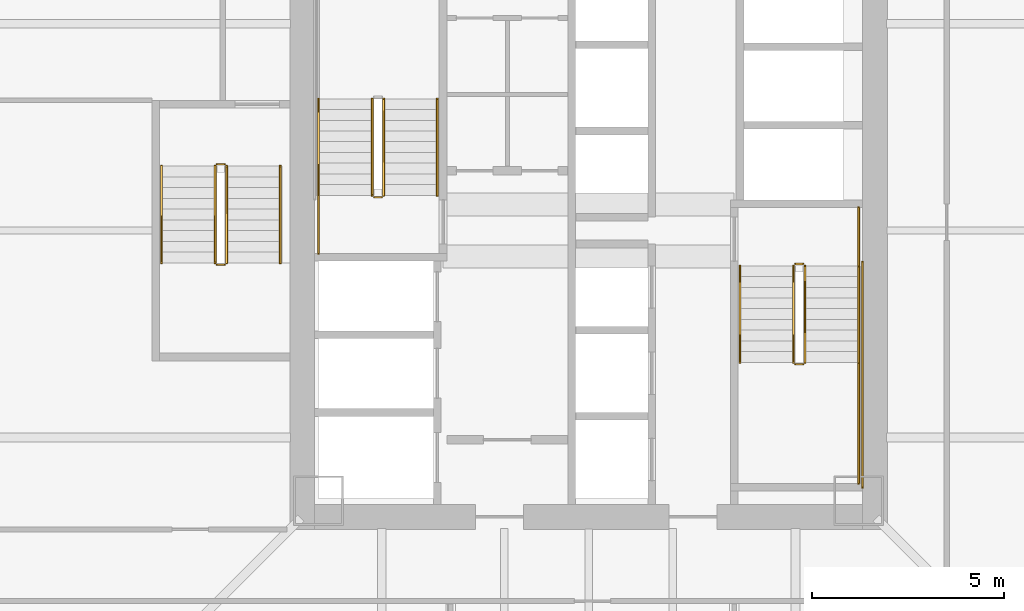
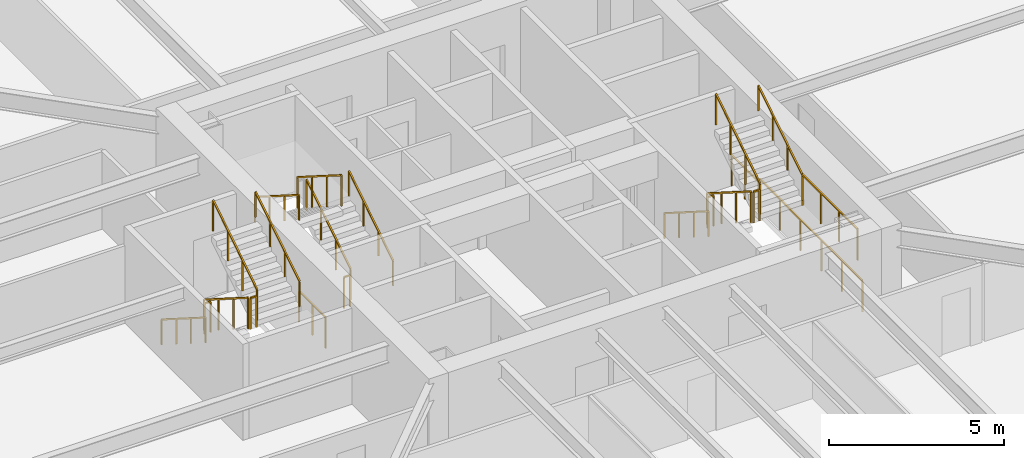
# One storey, part 40 of 46: 21 railings.
"""IFC4 building model written with IfcOpenShell, lengths in metres."""

from ifc_helpers import new_model, si_unit, direction, frame, origin, origin_2d, place, context, subcontext, project, spatial, rectangle, extrude, material, type_object, element, save


model = new_model("IFC4")

# Units and contexts
model_context = context("Model", 3, precision=1e-05, world=origin(), true_north=direction((0.0, 1.0)))
body_context = subcontext(model_context, "Body", "Model", "MODEL_VIEW")
ifc_project = project(units=[si_unit("LENGTHUNIT", "METRE"), si_unit("AREAUNIT", "SQUARE_METRE"), si_unit("VOLUMEUNIT", "CUBIC_METRE"), si_unit("PLANEANGLEUNIT", "RADIAN"), si_unit("MASSUNIT", "GRAM", prefix="KILO")], contexts=[model_context])

# Site, building, storey
site_placement = place(None, origin())
site = spatial("IfcSite", under=ifc_project, at=site_placement, CompositionType="ELEMENT")
building_placement = place(site_placement, origin())
building = spatial("IfcBuilding", under=site, at=building_placement, Name="Tashvorn Skyway Center", CompositionType="ELEMENT")
storey_placement = place(building_placement, frame((0.0, 0.0, 31.699951171875)))
storey = spatial("IfcBuildingStorey", under=building, at=storey_placement, Name="L07", CompositionType="ELEMENT", Elevation=31.699951171875)

# Railings
ifc_material_1 = material(Name="Brushed stainless steel 316", Category="steel")
railing_type_1 = type_object("IfcRailingType", Name="RAIL-HAND-920", PredefinedType="HANDRAIL", material=ifc_material_1)
railing_1_placement = place(storey_placement, frame((38.050048828125, 32.919921875, 0.177490234375)))
element("IfcRailing", 1, at=railing_1_placement, inside=storey, type_object=railing_type_1, Name="L07 ST-T1-1 stair handrail 1", PredefinedType="HANDRAIL", context=body_context, shape_type="SweptSolid", body=[
    extrude(rectangle(XDim=0.048095703125, YDim=0.048095703125, at=origin_2d()), frame((0.0, 0.0, 0.8759765625), z_axis=(0.0, 0.84456994832, 0.535445237532), x_axis=(-1.0, 0.0, 0.0)), (0.0, 0.0, 1.0), 2.98388671875),
    extrude(rectangle(XDim=0.0419921875, YDim=0.0419921875, at=origin_2d()), origin(), (0.0, 0.0, 1.0), 0.851806640625),
    extrude(rectangle(XDim=0.0419921875, YDim=0.0419921875, at=origin_2d()), frame((0.0, 0.840087890625, 0.532470703125)), (0.0, 0.0, 1.0), 0.851806640625),
    extrude(rectangle(XDim=0.0419921875, YDim=0.0419921875, at=origin_2d()), frame((0.0, 1.679931640625, 1.065185546875)), (0.0, 0.0, 1.0), 0.851806640625),
    extrude(rectangle(XDim=0.0419921875, YDim=0.0419921875, at=origin_2d()), frame((0.0, 2.52001953125, 1.59765625)), (0.0, 0.0, 1.0), 0.851806640625),
])
railing_2_placement = place(storey_placement, frame((34.949951171875, 35.43994140625, 1.95263671875)))
element("IfcRailing", 2, at=railing_2_placement, inside=storey, type_object=railing_type_1, Name="L07 ST-T1-1 stair handrail 2", PredefinedType="HANDRAIL", context=body_context, shape_type="SweptSolid", body=[
    extrude(rectangle(XDim=0.048095703125, YDim=0.048095703125, at=origin_2d()), frame((0.0, 0.0, 0.8759765625), z_axis=(0.0, -0.84460694969, 0.535386869969), x_axis=(1.0, 0.0, 0.0)), (0.0, 0.0, 1.0), 2.983642578125),
    extrude(rectangle(XDim=0.0419921875, YDim=0.0419921875, at=origin_2d()), origin(), (0.0, 0.0, 1.0), 0.851806640625),
    extrude(rectangle(XDim=0.0419921875, YDim=0.0419921875, at=origin_2d()), frame((0.0, -0.840087890625, 0.532470703125)), (0.0, 0.0, 1.0), 0.851806640625),
    extrude(rectangle(XDim=0.0419921875, YDim=0.0419921875, at=origin_2d()), frame((0.0, -1.679931640625, 1.06494140625)), (0.0, 0.0, 1.0), 0.851806640625),
    extrude(rectangle(XDim=0.0419921875, YDim=0.0419921875, at=origin_2d()), frame((0.0, -2.52001953125, 1.597412109375)), (0.0, 0.0, 1.0), 0.851806640625),
])
railing_3_placement = place(storey_placement, frame((45.949951171875, 31.080078125, 0.177490234375)))
element("IfcRailing", 3, at=railing_3_placement, inside=storey, type_object=railing_type_1, Name="L07 ST-T1-2 stair handrail 1", PredefinedType="HANDRAIL", context=body_context, shape_type="SweptSolid", body=[
    extrude(rectangle(XDim=0.048095703125, YDim=0.048095703125, at=origin_2d()), frame((0.0, 0.0, 0.8759765625), z_axis=(0.0, -0.84456994832, 0.535445237532), x_axis=(1.0, 0.0, 0.0)), (0.0, 0.0, 1.0), 2.98388671875),
    extrude(rectangle(XDim=0.0419921875, YDim=0.0419921875, at=origin_2d()), origin(), (0.0, 0.0, 1.0), 0.851806640625),
    extrude(rectangle(XDim=0.0419921875, YDim=0.0419921875, at=origin_2d()), frame((0.0, -0.840087890625, 0.532470703125)), (0.0, 0.0, 1.0), 0.851806640625),
    extrude(rectangle(XDim=0.0419921875, YDim=0.0419921875, at=origin_2d()), frame((0.0, -1.679931640625, 1.065185546875)), (0.0, 0.0, 1.0), 0.851806640625),
    extrude(rectangle(XDim=0.0419921875, YDim=0.0419921875, at=origin_2d()), frame((0.0, -2.52001953125, 1.59765625)), (0.0, 0.0, 1.0), 0.851806640625),
])
railing_4_placement = place(storey_placement, frame((49.050048828125, 28.56005859375, 1.95263671875)))
element("IfcRailing", 4, at=railing_4_placement, inside=storey, type_object=railing_type_1, Name="L07 ST-T1-2 stair handrail 2", PredefinedType="HANDRAIL", context=body_context, shape_type="SweptSolid", body=[
    extrude(rectangle(XDim=0.048095703125, YDim=0.048095703125, at=origin_2d()), frame((0.0, 0.0, 0.8759765625), z_axis=(0.0, 0.84460694969, 0.535386869969), x_axis=(-1.0, 0.0, 0.0)), (0.0, 0.0, 1.0), 2.983642578125),
    extrude(rectangle(XDim=0.0419921875, YDim=0.0419921875, at=origin_2d()), origin(), (0.0, 0.0, 1.0), 0.851806640625),
    extrude(rectangle(XDim=0.0419921875, YDim=0.0419921875, at=origin_2d()), frame((0.0, 0.840087890625, 0.532470703125)), (0.0, 0.0, 1.0), 0.851806640625),
    extrude(rectangle(XDim=0.0419921875, YDim=0.0419921875, at=origin_2d()), frame((0.0, 1.679931640625, 1.06494140625)), (0.0, 0.0, 1.0), 0.851806640625),
    extrude(rectangle(XDim=0.0419921875, YDim=0.0419921875, at=origin_2d()), frame((0.0, 2.52001953125, 1.597412109375)), (0.0, 0.0, 1.0), 0.851806640625),
])
railing_5_placement = place(storey_placement, frame((30.85009765625, 33.679931640625, 0.177490234375)))
element("IfcRailing", 5, at=railing_5_placement, inside=storey, type_object=railing_type_1, Name="L07 ST-T1-3 stair handrail 1", PredefinedType="HANDRAIL", context=body_context, shape_type="SweptSolid", body=[
    extrude(rectangle(XDim=0.048095703125, YDim=0.048095703125, at=origin_2d()), frame((0.0, 0.0, 0.8759765625), z_axis=(0.0, -0.84456994832, 0.535445237532), x_axis=(1.0, 0.0, 0.0)), (0.0, 0.0, 1.0), 2.98388671875),
    extrude(rectangle(XDim=0.0419921875, YDim=0.0419921875, at=origin_2d()), origin(), (0.0, 0.0, 1.0), 0.851806640625),
    extrude(rectangle(XDim=0.0419921875, YDim=0.0419921875, at=origin_2d()), frame((0.0, -0.840087890625, 0.532470703125)), (0.0, 0.0, 1.0), 0.851806640625),
    extrude(rectangle(XDim=0.0419921875, YDim=0.0419921875, at=origin_2d()), frame((0.0, -1.679931640625, 1.065185546875)), (0.0, 0.0, 1.0), 0.851806640625),
    extrude(rectangle(XDim=0.0419921875, YDim=0.0419921875, at=origin_2d()), frame((0.0, -2.52001953125, 1.59765625)), (0.0, 0.0, 1.0), 0.851806640625),
])
railing_6_placement = place(storey_placement, frame((33.949951171875, 31.159912109375, 1.95263671875)))
element("IfcRailing", 6, at=railing_6_placement, inside=storey, type_object=railing_type_1, Name="L07 ST-T1-3 stair handrail 2", PredefinedType="HANDRAIL", context=body_context, shape_type="SweptSolid", body=[
    extrude(rectangle(XDim=0.048095703125, YDim=0.048095703125, at=origin_2d()), frame((0.0, 0.0, 0.8759765625), z_axis=(0.0, 0.84460694969, 0.535386869969), x_axis=(-1.0, 0.0, 0.0)), (0.0, 0.0, 1.0), 2.983642578125),
    extrude(rectangle(XDim=0.0419921875, YDim=0.0419921875, at=origin_2d()), origin(), (0.0, 0.0, 1.0), 0.851806640625),
    extrude(rectangle(XDim=0.0419921875, YDim=0.0419921875, at=origin_2d()), frame((0.0, 0.840087890625, 0.532470703125)), (0.0, 0.0, 1.0), 0.851806640625),
    extrude(rectangle(XDim=0.0419921875, YDim=0.0419921875, at=origin_2d()), frame((0.0, 1.679931640625, 1.06494140625)), (0.0, 0.0, 1.0), 0.851806640625),
    extrude(rectangle(XDim=0.0419921875, YDim=0.0419921875, at=origin_2d()), frame((0.0, 2.52001953125, 1.597412109375)), (0.0, 0.0, 1.0), 0.851806640625),
])
ifc_material_2 = material(Name="Painted galvanized steel S355", Category="steel")
railing_type_2 = type_object("IfcRailingType", Name="RAIL-STGUARD-1100", PredefinedType="GUARDRAIL", material=ifc_material_2)
railing_7_placement = place(storey_placement, frame((36.64990234375, 32.919921875, 0.177490234375)))
element("IfcRailing", 7, at=railing_7_placement, inside=storey, type_object=railing_type_2, Name="L07 ST-T1-1 stair guard 1", PredefinedType="GUARDRAIL", context=body_context, shape_type="SweptSolid", body=[
    extrude(rectangle(XDim=0.048095703125, YDim=0.048095703125, at=origin_2d()), frame((0.0, 0.0, 1.076171875), z_axis=(0.0, 0.84456994832, 0.535445237532), x_axis=(-1.0, 0.0, 0.0)), (0.0, 0.0, 1.0), 2.98388671875),
    extrude(rectangle(XDim=0.0419921875, YDim=0.0419921875, at=origin_2d()), origin(), (0.0, 0.0, 1.0), 1.052001953125),
    extrude(rectangle(XDim=0.0419921875, YDim=0.0419921875, at=origin_2d()), frame((0.0, 0.840087890625, 0.532470703125)), (0.0, 0.0, 1.0), 1.052001953125),
    extrude(rectangle(XDim=0.0419921875, YDim=0.0419921875, at=origin_2d()), frame((0.0, 1.679931640625, 1.065185546875)), (0.0, 0.0, 1.0), 1.052001953125),
    extrude(rectangle(XDim=0.0419921875, YDim=0.0419921875, at=origin_2d()), frame((0.0, 2.52001953125, 1.59765625)), (0.0, 0.0, 1.0), 1.052001953125),
])
railing_8_placement = place(storey_placement, frame((36.35009765625, 35.43994140625, 1.95263671875)))
element("IfcRailing", 8, at=railing_8_placement, inside=storey, type_object=railing_type_2, Name="L07 ST-T1-1 stair guard 4", PredefinedType="GUARDRAIL", context=body_context, shape_type="SweptSolid", body=[
    extrude(rectangle(XDim=0.048095703125, YDim=0.048095703125, at=origin_2d()), frame((0.0, 0.0, 1.076171875), z_axis=(0.0, -0.84460694969, 0.535386869969), x_axis=(1.0, 0.0, 0.0)), (0.0, 0.0, 1.0), 2.983642578125),
    extrude(rectangle(XDim=0.0419921875, YDim=0.0419921875, at=origin_2d()), origin(), (0.0, 0.0, 1.0), 1.052001953125),
    extrude(rectangle(XDim=0.0419921875, YDim=0.0419921875, at=origin_2d()), frame((0.0, -0.840087890625, 0.532470703125)), (0.0, 0.0, 1.0), 1.052001953125),
    extrude(rectangle(XDim=0.0419921875, YDim=0.0419921875, at=origin_2d()), frame((0.0, -1.679931640625, 1.06494140625)), (0.0, 0.0, 1.0), 1.052001953125),
    extrude(rectangle(XDim=0.0419921875, YDim=0.0419921875, at=origin_2d()), frame((0.0, -2.52001953125, 1.597412109375)), (0.0, 0.0, 1.0), 1.052001953125),
])
railing_9_placement = place(storey_placement, frame((36.60009765625, 32.8701171875, 0.0)))
element("IfcRailing", 9, at=railing_9_placement, inside=storey, type_object=railing_type_2, Name="L07 ST-T1-1 stair guard 5", PredefinedType="GUARDRAIL", context=body_context, shape_type="SweptSolid", body=[
    extrude(rectangle(XDim=0.048095703125, YDim=0.048095703125, at=origin_2d()), frame((0.0, 0.0, 1.076171875), z_axis=(-1.0, 0.0, 0.0), x_axis=(0.0, -1.0, 0.0)), (0.0, 0.0, 1.0), 0.2001953125),
    extrude(rectangle(XDim=0.0419921875, YDim=0.0419921875, at=origin_2d()), origin(), (0.0, 0.0, 1.0), 1.052001953125),
    extrude(rectangle(XDim=0.0419921875, YDim=0.0419921875, at=origin_2d()), frame((-0.2001953125, 0.0, 0.0)), (0.0, 0.0, 1.0), 1.052001953125),
])
railing_10_placement = place(storey_placement, frame((34.949951171875, 31.39990234375, 0.0)))
element("IfcRailing", 10, at=railing_10_placement, inside=storey, type_object=railing_type_2, Name="L07 ST-T1-1 stair guard 6", PredefinedType="GUARDRAIL", context=body_context, shape_type="SweptSolid", body=[
    extrude(rectangle(XDim=0.048095703125, YDim=0.048095703125, at=origin_2d()), frame((0.0, 0.0, 1.076171875), z_axis=(0.0, 1.0, 0.0), x_axis=(-1.0, 0.0, 0.0)), (0.0, 0.0, 1.0), 1.52001953125),
    extrude(rectangle(XDim=0.0419921875, YDim=0.0419921875, at=origin_2d()), origin(), (0.0, 0.0, 1.0), 1.052001953125),
    extrude(rectangle(XDim=0.0419921875, YDim=0.0419921875, at=origin_2d()), frame((0.0, 0.760009765625, 0.0)), (0.0, 0.0, 1.0), 1.052001953125),
    extrude(rectangle(XDim=0.0419921875, YDim=0.0419921875, at=origin_2d()), frame((0.0, 1.52001953125, 0.0)), (0.0, 0.0, 1.0), 1.052001953125),
])
railing_11_placement = place(storey_placement, frame((47.35009765625, 31.080078125, 0.177490234375)))
element("IfcRailing", 11, at=railing_11_placement, inside=storey, type_object=railing_type_2, Name="L07 ST-T1-2 stair guard 1", PredefinedType="GUARDRAIL", context=body_context, shape_type="SweptSolid", body=[
    extrude(rectangle(XDim=0.048095703125, YDim=0.048095703125, at=origin_2d()), frame((0.0, 0.0, 1.076171875), z_axis=(0.0, -0.84456994832, 0.535445237532), x_axis=(1.0, 0.0, 0.0)), (0.0, 0.0, 1.0), 2.98388671875),
    extrude(rectangle(XDim=0.0419921875, YDim=0.0419921875, at=origin_2d()), origin(), (0.0, 0.0, 1.0), 1.052001953125),
    extrude(rectangle(XDim=0.0419921875, YDim=0.0419921875, at=origin_2d()), frame((0.0, -0.840087890625, 0.532470703125)), (0.0, 0.0, 1.0), 1.052001953125),
    extrude(rectangle(XDim=0.0419921875, YDim=0.0419921875, at=origin_2d()), frame((0.0, -1.679931640625, 1.065185546875)), (0.0, 0.0, 1.0), 1.052001953125),
    extrude(rectangle(XDim=0.0419921875, YDim=0.0419921875, at=origin_2d()), frame((0.0, -2.52001953125, 1.59765625)), (0.0, 0.0, 1.0), 1.052001953125),
])
railing_12_placement = place(storey_placement, frame((47.39990234375, 28.510009765625, 1.775146484375)))
element("IfcRailing", 12, at=railing_12_placement, inside=storey, type_object=railing_type_2, Name="L07 ST-T1-2 stair guard 2", PredefinedType="GUARDRAIL", context=body_context, shape_type="SweptSolid", body=[
    extrude(rectangle(XDim=0.048095703125, YDim=0.048095703125, at=origin_2d()), frame((0.0, 0.0, 1.076171875), z_axis=(1.0, 0.0, 0.0), x_axis=(0.0, 1.0, 0.0)), (0.0, 0.0, 1.0), 0.2001953125),
    extrude(rectangle(XDim=0.0419921875, YDim=0.0419921875, at=origin_2d()), origin(), (0.0, 0.0, 1.0), 1.052001953125),
    extrude(rectangle(XDim=0.0419921875, YDim=0.0419921875, at=origin_2d()), frame((0.2001953125, 0.0, 0.0)), (0.0, 0.0, 1.0), 1.052001953125),
])
railing_13_placement = place(storey_placement, frame((49.050048828125, 28.56005859375, 1.775146484375)))
element("IfcRailing", 13, at=railing_13_placement, inside=storey, type_object=railing_type_2, Name="L07 ST-T1-2 stair guard 3", PredefinedType="GUARDRAIL", context=body_context, shape_type="SweptSolid", body=[
    extrude(rectangle(XDim=0.048095703125, YDim=0.048095703125, at=origin_2d()), frame((0.0, 0.0, 1.076171875), z_axis=(0.0, -1.0, 0.0), x_axis=(1.0, 0.0, 0.0)), (0.0, 0.0, 1.0), 3.16015625),
    extrude(rectangle(XDim=0.0419921875, YDim=0.0419921875, at=origin_2d()), origin(), (0.0, 0.0, 1.0), 1.052001953125),
    extrude(rectangle(XDim=0.0419921875, YDim=0.0419921875, at=origin_2d()), frame((0.0, -1.053466796875, 0.0)), (0.0, 0.0, 1.0), 1.052001953125),
    extrude(rectangle(XDim=0.0419921875, YDim=0.0419921875, at=origin_2d()), frame((0.0, -2.106689453125, 0.0)), (0.0, 0.0, 1.0), 1.052001953125),
    extrude(rectangle(XDim=0.0419921875, YDim=0.0419921875, at=origin_2d()), frame((0.0, -3.16015625, 0.0)), (0.0, 0.0, 1.0), 1.052001953125),
])
railing_14_placement = place(storey_placement, frame((47.64990234375, 28.56005859375, 1.95263671875)))
element("IfcRailing", 14, at=railing_14_placement, inside=storey, type_object=railing_type_2, Name="L07 ST-T1-2 stair guard 4", PredefinedType="GUARDRAIL", context=body_context, shape_type="SweptSolid", body=[
    extrude(rectangle(XDim=0.048095703125, YDim=0.048095703125, at=origin_2d()), frame((0.0, 0.0, 1.076171875), z_axis=(0.0, 0.84460694969, 0.535386869969), x_axis=(-1.0, 0.0, 0.0)), (0.0, 0.0, 1.0), 2.983642578125),
    extrude(rectangle(XDim=0.0419921875, YDim=0.0419921875, at=origin_2d()), origin(), (0.0, 0.0, 1.0), 1.052001953125),
    extrude(rectangle(XDim=0.0419921875, YDim=0.0419921875, at=origin_2d()), frame((0.0, 0.840087890625, 0.532470703125)), (0.0, 0.0, 1.0), 1.052001953125),
    extrude(rectangle(XDim=0.0419921875, YDim=0.0419921875, at=origin_2d()), frame((0.0, 1.679931640625, 1.06494140625)), (0.0, 0.0, 1.0), 1.052001953125),
    extrude(rectangle(XDim=0.0419921875, YDim=0.0419921875, at=origin_2d()), frame((0.0, 2.52001953125, 1.597412109375)), (0.0, 0.0, 1.0), 1.052001953125),
])
railing_15_placement = place(storey_placement, frame((47.39990234375, 31.1298828125, 0.0)))
element("IfcRailing", 15, at=railing_15_placement, inside=storey, type_object=railing_type_2, Name="L07 ST-T1-2 stair guard 5", PredefinedType="GUARDRAIL", context=body_context, shape_type="SweptSolid", body=[
    extrude(rectangle(XDim=0.048095703125, YDim=0.048095703125, at=origin_2d()), frame((0.0, 0.0, 1.076171875), z_axis=(1.0, 0.0, 0.0), x_axis=(0.0, 1.0, 0.0)), (0.0, 0.0, 1.0), 0.2001953125),
    extrude(rectangle(XDim=0.0419921875, YDim=0.0419921875, at=origin_2d()), origin(), (0.0, 0.0, 1.0), 1.052001953125),
    extrude(rectangle(XDim=0.0419921875, YDim=0.0419921875, at=origin_2d()), frame((0.2001953125, 0.0, 0.0)), (0.0, 0.0, 1.0), 1.052001953125),
])
railing_16_placement = place(storey_placement, frame((49.050048828125, 32.60009765625, 0.0)))
element("IfcRailing", 16, at=railing_16_placement, inside=storey, type_object=railing_type_2, Name="L07 ST-T1-2 stair guard 6", PredefinedType="GUARDRAIL", context=body_context, shape_type="SweptSolid", body=[
    extrude(rectangle(XDim=0.048095703125, YDim=0.048095703125, at=origin_2d()), frame((0.0, 0.0, 1.076171875), z_axis=(0.0, -1.0, 0.0), x_axis=(1.0, 0.0, 0.0)), (0.0, 0.0, 1.0), 1.52001953125),
    extrude(rectangle(XDim=0.0419921875, YDim=0.0419921875, at=origin_2d()), origin(), (0.0, 0.0, 1.0), 1.052001953125),
    extrude(rectangle(XDim=0.0419921875, YDim=0.0419921875, at=origin_2d()), frame((0.0, -0.760009765625, 0.0)), (0.0, 0.0, 1.0), 1.052001953125),
    extrude(rectangle(XDim=0.0419921875, YDim=0.0419921875, at=origin_2d()), frame((0.0, -1.52001953125, 0.0)), (0.0, 0.0, 1.0), 1.052001953125),
])
railing_17_placement = place(storey_placement, frame((49.14990234375, 31.179931640625, 0.0)))
element("IfcRailing", 17, at=railing_17_placement, inside=storey, type_object=railing_type_2, Name="L07 ST-T1-2 stair guard 7", PredefinedType="GUARDRAIL", context=body_context, shape_type="SweptSolid", body=[
    extrude(rectangle(XDim=0.048095703125, YDim=0.048095703125, at=origin_2d()), frame((0.0, 0.0, 1.076171875), z_axis=(0.0, -1.0, 0.0), x_axis=(1.0, 0.0, 0.0)), (0.0, 0.0, 1.0), 5.8798828125),
    extrude(rectangle(XDim=0.0419921875, YDim=0.0419921875, at=origin_2d()), origin(), (0.0, 0.0, 1.0), 1.052001953125),
    extrude(rectangle(XDim=0.0419921875, YDim=0.0419921875, at=origin_2d()), frame((0.0, -1.176025390625, 0.0)), (0.0, 0.0, 1.0), 1.052001953125),
    extrude(rectangle(XDim=0.0419921875, YDim=0.0419921875, at=origin_2d()), frame((0.0, -2.35205078125, 0.0)), (0.0, 0.0, 1.0), 1.052001953125),
    extrude(rectangle(XDim=0.0419921875, YDim=0.0419921875, at=origin_2d()), frame((0.0, -3.52783203125, 0.0)), (0.0, 0.0, 1.0), 1.052001953125),
    extrude(rectangle(XDim=0.0419921875, YDim=0.0419921875, at=origin_2d()), frame((0.0, -4.703857421875, 0.0)), (0.0, 0.0, 1.0), 1.052001953125),
    extrude(rectangle(XDim=0.0419921875, YDim=0.0419921875, at=origin_2d()), frame((0.0, -5.8798828125, 0.0)), (0.0, 0.0, 1.0), 1.052001953125),
])
railing_18_placement = place(storey_placement, frame((32.25, 33.679931640625, 0.177490234375)))
element("IfcRailing", 18, at=railing_18_placement, inside=storey, type_object=railing_type_2, Name="L07 ST-T1-3 stair guard 1", PredefinedType="GUARDRAIL", context=body_context, shape_type="SweptSolid", body=[
    extrude(rectangle(XDim=0.048095703125, YDim=0.048095703125, at=origin_2d()), frame((0.0, 0.0, 1.076171875), z_axis=(0.0, -0.84456994832, 0.535445237532), x_axis=(1.0, 0.0, 0.0)), (0.0, 0.0, 1.0), 2.98388671875),
    extrude(rectangle(XDim=0.0419921875, YDim=0.0419921875, at=origin_2d()), origin(), (0.0, 0.0, 1.0), 1.052001953125),
    extrude(rectangle(XDim=0.0419921875, YDim=0.0419921875, at=origin_2d()), frame((0.0, -0.840087890625, 0.532470703125)), (0.0, 0.0, 1.0), 1.052001953125),
    extrude(rectangle(XDim=0.0419921875, YDim=0.0419921875, at=origin_2d()), frame((0.0, -1.679931640625, 1.065185546875)), (0.0, 0.0, 1.0), 1.052001953125),
    extrude(rectangle(XDim=0.0419921875, YDim=0.0419921875, at=origin_2d()), frame((0.0, -2.52001953125, 1.59765625)), (0.0, 0.0, 1.0), 1.052001953125),
])
railing_19_placement = place(storey_placement, frame((32.300048828125, 31.110107421875, 1.775146484375)))
element("IfcRailing", 19, at=railing_19_placement, inside=storey, type_object=railing_type_2, Name="L07 ST-T1-3 stair guard 2", PredefinedType="GUARDRAIL", context=body_context, shape_type="SweptSolid", body=[
    extrude(rectangle(XDim=0.048095703125, YDim=0.048095703125, at=origin_2d()), frame((0.0, 0.0, 1.076171875), z_axis=(1.0, 0.0, 0.0), x_axis=(0.0, 1.0, 0.0)), (0.0, 0.0, 1.0), 0.199951171875),
    extrude(rectangle(XDim=0.0419921875, YDim=0.0419921875, at=origin_2d()), origin(), (0.0, 0.0, 1.0), 1.052001953125),
    extrude(rectangle(XDim=0.0419921875, YDim=0.0419921875, at=origin_2d()), frame((0.199951171875, 0.0, 0.0)), (0.0, 0.0, 1.0), 1.052001953125),
])
railing_20_placement = place(storey_placement, frame((32.550048828125, 31.159912109375, 1.95263671875)))
element("IfcRailing", 20, at=railing_20_placement, inside=storey, type_object=railing_type_2, Name="L07 ST-T1-3 stair guard 3", PredefinedType="GUARDRAIL", context=body_context, shape_type="SweptSolid", body=[
    extrude(rectangle(XDim=0.048095703125, YDim=0.048095703125, at=origin_2d()), frame((0.0, 0.0, 1.076171875), z_axis=(0.0, 0.84460694969, 0.535386869969), x_axis=(-1.0, 0.0, 0.0)), (0.0, 0.0, 1.0), 2.983642578125),
    extrude(rectangle(XDim=0.0419921875, YDim=0.0419921875, at=origin_2d()), origin(), (0.0, 0.0, 1.0), 1.052001953125),
    extrude(rectangle(XDim=0.0419921875, YDim=0.0419921875, at=origin_2d()), frame((0.0, 0.840087890625, 0.532470703125)), (0.0, 0.0, 1.0), 1.052001953125),
    extrude(rectangle(XDim=0.0419921875, YDim=0.0419921875, at=origin_2d()), frame((0.0, 1.679931640625, 1.06494140625)), (0.0, 0.0, 1.0), 1.052001953125),
    extrude(rectangle(XDim=0.0419921875, YDim=0.0419921875, at=origin_2d()), frame((0.0, 2.52001953125, 1.597412109375)), (0.0, 0.0, 1.0), 1.052001953125),
])
railing_21_placement = place(storey_placement, frame((32.300048828125, 33.72998046875, 0.0)))
element("IfcRailing", 21, at=railing_21_placement, inside=storey, type_object=railing_type_2, Name="L07 ST-T1-3 stair guard 4", PredefinedType="GUARDRAIL", context=body_context, shape_type="SweptSolid", body=[
    extrude(rectangle(XDim=0.048095703125, YDim=0.048095703125, at=origin_2d()), frame((0.0, 0.0, 1.076171875), z_axis=(1.0, 0.0, 0.0), x_axis=(0.0, 1.0, 0.0)), (0.0, 0.0, 1.0), 0.199951171875),
    extrude(rectangle(XDim=0.0419921875, YDim=0.0419921875, at=origin_2d()), origin(), (0.0, 0.0, 1.0), 1.052001953125),
    extrude(rectangle(XDim=0.0419921875, YDim=0.0419921875, at=origin_2d()), frame((0.199951171875, 0.0, 0.0)), (0.0, 0.0, 1.0), 1.052001953125),
])

save(model, "model.ifc")
